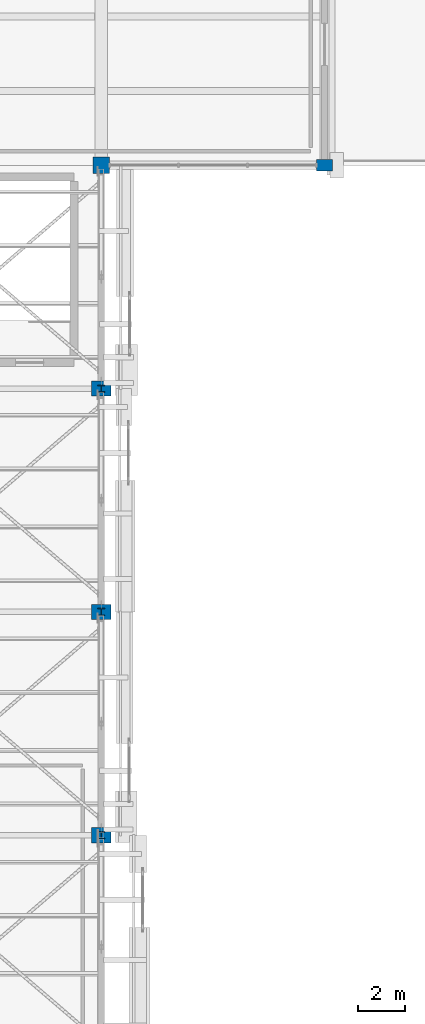
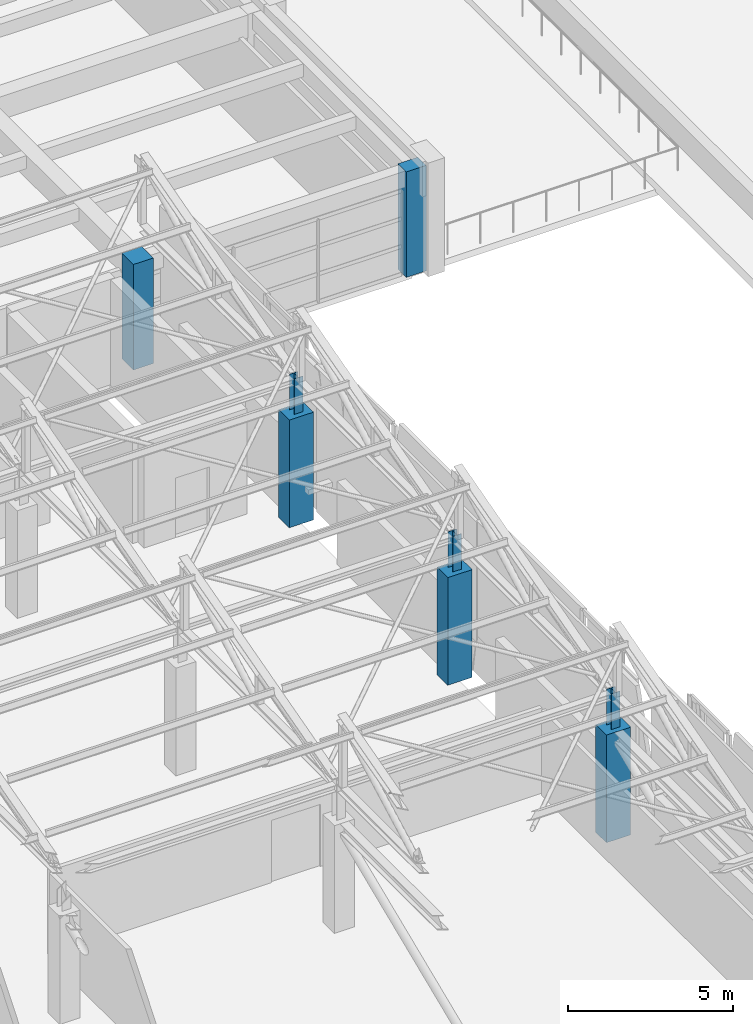
# One storey, part 6 of 71: 8 columns.
"""IFC4 building model written with IfcOpenShell, lengths in metres."""

from ifc_helpers import new_model, si_unit, direction, frame, origin, origin_2d, place, context, subcontext, project, spatial, rectangle, i_section, extrude, material, material_profile, profile_set, type_object, element, save


model = new_model("IFC4")

# Units and contexts
model_context = context("Model", 3, precision=1e-05, world=origin(), true_north=direction((0.0, 1.0)))
body_context = subcontext(model_context, "Body", "Model", "MODEL_VIEW")
ifc_project = project(units=[si_unit("LENGTHUNIT", "METRE"), si_unit("AREAUNIT", "SQUARE_METRE"), si_unit("VOLUMEUNIT", "CUBIC_METRE"), si_unit("PLANEANGLEUNIT", "RADIAN"), si_unit("MASSUNIT", "GRAM", prefix="KILO")], contexts=[model_context])

# Site, building, storey
site_placement = place(None, origin())
site = spatial("IfcSite", under=ifc_project, at=site_placement, CompositionType="ELEMENT")
building_placement = place(site_placement, origin())
building = spatial("IfcBuilding", under=site, at=building_placement, Name="Bempovik Park Faculty of Sciences", CompositionType="ELEMENT")
storey_placement = place(building_placement, frame((0.0, 0.0, 14.10009765625)))
storey = spatial("IfcBuildingStorey", under=building, at=storey_placement, Name="L03", CompositionType="ELEMENT", Elevation=14.10009765625)

# Columns
ifc_material_1 = material(Name="Steel S355", Category="steel")
ifc_material_profile_1 = material_profile(ifc_material_1, i_section(OverallWidth=0.300048828125, OverallDepth=0.300048828125, WebThickness=0.010986328125, FlangeThickness=0.01904296875, at=origin_2d()), Name="HEB 300")
ifc_profile_set_1 = profile_set([ifc_material_profile_1], Name="Steel S355")
column_type_1 = type_object("IfcColumnType", Name="C-14 HEB 300", PredefinedType="COLUMN", material=ifc_profile_set_1)
for number, where, z_axis, x_axis, name in (
    (1, (117.60009765625, 39.0, 3.98583984375), (0.0, 0.0, 1.0), (1.0, 0.0, 0.0), "Sawtooth Clerestory Steel Column V1 (117.6,39.0)"),
    (2, (117.60009765625, 48.60009765625, 3.98583984375), (0.0, 0.0, 1.0), (1.0, 0.0, 0.0), "Sawtooth Clerestory Steel Column V1 (117.6,48.6)"),
    (3, (117.60009765625, 58.199951171875, 3.98583984375), (0.0, 0.0, 1.0), (1.0, 0.0, 0.0), "Sawtooth Clerestory Steel Column V1 (117.6,58.2)"),
):
    element("IfcColumn", number, at=place(storey_placement, frame(where, z_axis=z_axis, x_axis=x_axis)), inside=storey, type_object=column_type_1, Name=name, PredefinedType="COLUMN", context=body_context, shape_type="SweptSolid", body=[
        extrude(i_section(OverallWidth=0.300048828125, OverallDepth=0.300048828125, WebThickness=0.010986328125, FlangeThickness=0.01904296875, at=origin_2d()), origin(), (0.0, 0.0, 1.0), 1.31396484375),
    ])
ifc_material_2 = material(Name="Concrete C40/50", Category="concrete")
ifc_material_profile_2 = material_profile(ifc_material_2, rectangle(XDim=0.699951171875, YDim=0.699951171875, at=origin_2d()), Name="RC 700x700")
ifc_profile_set_2 = profile_set([ifc_material_profile_2], Name="Concrete C40/50")
column_type_2 = type_object("IfcColumnType", Name="C-34 RC 700x700", PredefinedType="COLUMN", material=ifc_profile_set_2)
column_1_placement = place(storey_placement, frame((117.60009765625, 67.800048828125, 0.0), z_axis=(0.0, 0.0, 1.0), x_axis=(1.0, 0.0, 0.0)))
element("IfcColumn", 4, at=column_1_placement, inside=storey, type_object=column_type_2, Name="L03 Structural Column (117.6,67.8)", PredefinedType="COLUMN", context=body_context, shape_type="SweptSolid", body=[
    extrude(rectangle(XDim=0.699951171875, YDim=0.699951171875, at=origin_2d()), origin(), (0.0, 0.0, 1.0), 3.89990234375),
])
ifc_material_profile_3 = material_profile(ifc_material_2, rectangle(XDim=0.85009765625, YDim=0.64990234375, at=origin_2d()), Name="RC 850x650")
ifc_profile_set_3 = profile_set([ifc_material_profile_3], Name="Concrete C40/50")
column_type_3 = type_object("IfcColumnType", Name="C-71 RC 850x650", PredefinedType="COLUMN", material=ifc_profile_set_3)
for number, where, z_axis, x_axis, name in (
    (5, (117.60009765625, 39.0, 0.0), (0.0, 0.0, 1.0), (1.0, 0.0, 0.0), "L03 Structural Column (117.6,39.0)"),
    (6, (117.60009765625, 48.60009765625, 0.0), (0.0, 0.0, 1.0), (1.0, 0.0, 0.0), "L03 Structural Column (117.6,48.6)"),
    (7, (117.60009765625, 58.199951171875, 0.0), (0.0, 0.0, 1.0), (1.0, 0.0, 0.0), "L03 Structural Column (117.6,58.2)"),
):
    element("IfcColumn", number, at=place(storey_placement, frame(where, z_axis=z_axis, x_axis=x_axis)), inside=storey, type_object=column_type_3, Name=name, PredefinedType="COLUMN", context=body_context, shape_type="SweptSolid", body=[
        extrude(rectangle(XDim=0.85009765625, YDim=0.64990234375, at=origin_2d()), origin(), (0.0, 0.0, 1.0), 3.97998046875),
    ])
ifc_material_profile_4 = material_profile(ifc_material_2, rectangle(XDim=0.699951171875, YDim=0.5, at=origin_2d()), Name="RC 700x500")
ifc_profile_set_4 = profile_set([ifc_material_profile_4], Name="Concrete C40/50")
column_type_4 = type_object("IfcColumnType", Name="C-75 RC 700x500", PredefinedType="COLUMN", material=ifc_profile_set_4)
column_2_placement = place(storey_placement, frame((127.199951171875, 67.800048828125, 0.0), z_axis=(0.0, 0.0, 1.0), x_axis=(1.0, 0.0, 0.0)))
element("IfcColumn", 8, at=column_2_placement, inside=storey, type_object=column_type_4, Name="L03 Structural Column (127.2,67.8)", PredefinedType="COLUMN", context=body_context, shape_type="SweptSolid", body=[
    extrude(rectangle(XDim=0.699951171875, YDim=0.5, at=origin_2d()), origin(), (0.0, 0.0, 1.0), 3.89990234375),
])

save(model, "model.ifc")
